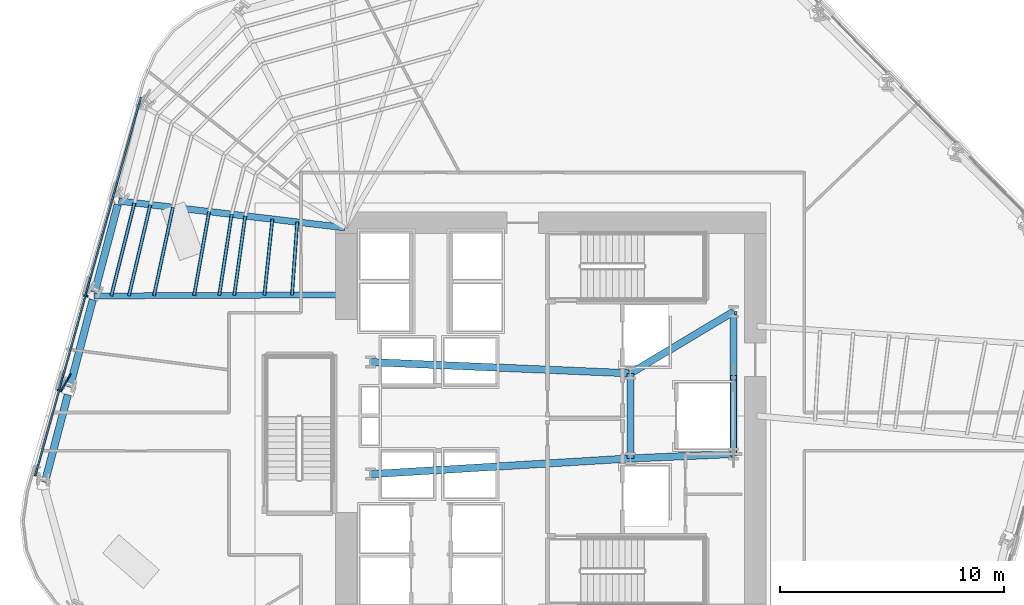
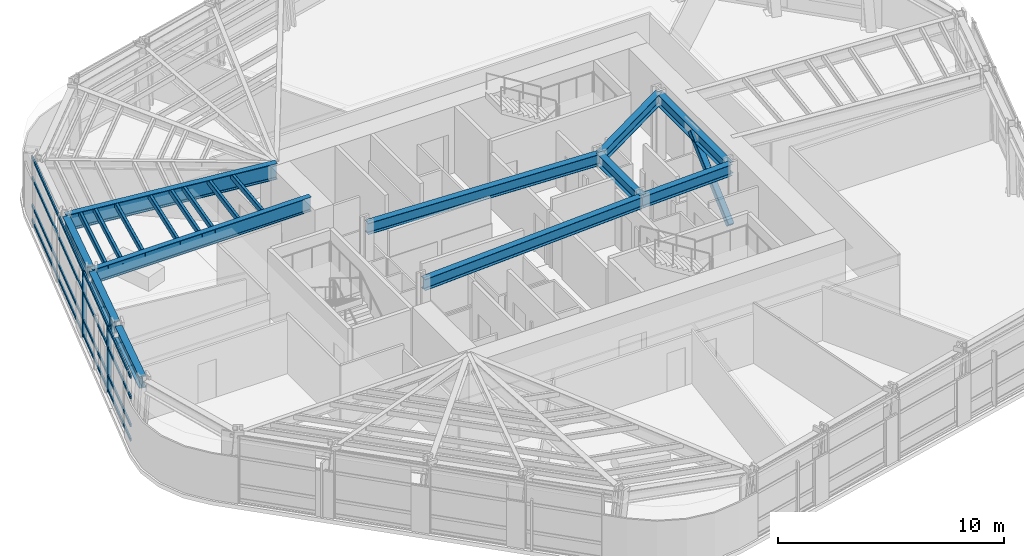
# One storey, part 4 of 17: 16 members, 11 beams, 1 element without a shape of its own.
"""IFC4 building model written with IfcOpenShell, lengths in metres."""

from ifc_helpers import new_model, si_unit, direction, frame, origin, origin_2d, place, context, subcontext, project, spatial, rectangle, hollow_rectangle, i_section, extrude, material, layer, layer_set, material_profile, profile_set, type_object, element, aggregate, save


model = new_model("IFC4")

# Units and contexts
model_context = context("Model", 3, precision=1e-05, world=origin(), true_north=direction((0.0, 1.0)))
body_context = subcontext(model_context, "Body", "Model", "MODEL_VIEW")
ifc_project = project(units=[si_unit("LENGTHUNIT", "METRE"), si_unit("AREAUNIT", "SQUARE_METRE"), si_unit("VOLUMEUNIT", "CUBIC_METRE"), si_unit("PLANEANGLEUNIT", "RADIAN"), si_unit("MASSUNIT", "GRAM", prefix="KILO")], contexts=[model_context])

# Site, building, storey
site_placement = place(None, origin())
site = spatial("IfcSite", under=ifc_project, at=site_placement, CompositionType="ELEMENT")
building_placement = place(site_placement, origin())
building = spatial("IfcBuilding", under=site, at=building_placement, Name="Valkerne Bourse Tower", CompositionType="ELEMENT")
storey_placement = place(building_placement, frame((0.0, 0.0, 85.800048828125)))
storey = spatial("IfcBuildingStorey", under=building, at=storey_placement, Name="L21", CompositionType="ELEMENT", Elevation=85.800048828125)

# Beams
ifc_material_1 = material(Name="Steel ASTM A992", Category="steel")
ifc_material_profile_1 = material_profile(ifc_material_1, i_section(OverallWidth=0.3251953125, OverallDepth=0.612060546875, WebThickness=0.0126953125, FlangeThickness=0.01904296875, FilletRadius=0.020263671875, at=origin_2d()), Name="W24X104")
ifc_profile_set_1 = profile_set([ifc_material_profile_1], Name="Steel ASTM A992")
beam_type_1 = type_object("IfcBeamType", Name="BM-W24X104", PredefinedType="BEAM", material=ifc_profile_set_1)
beam_1_placement = place(storey_placement, frame((50.35009765625, 25.10009765625, 3.27392578125), z_axis=(0.0, 1.0, 0.0), x_axis=(-1.0, 0.0, 0.0)))
element("IfcBeam", 1, at=beam_1_placement, inside=storey, type_object=beam_type_1, Name="L21 Core Frame Girder CG-CE", PredefinedType="BEAM", context=body_context, shape_type="SweptSolid", body=[
    extrude(i_section(OverallWidth=0.3251953125, OverallDepth=0.612060546875, WebThickness=0.0126953125, FlangeThickness=0.01904296875, FilletRadius=0.020263671875, at=origin_2d()), origin(), (0.0, 0.0, 1.0), 3.7998046875),
])
beam_2_placement = place(storey_placement, frame((50.35009765625, 25.10009765625, 3.27392578125), z_axis=(0.999056558506, 0.043428019819, 0.0), x_axis=(-0.043428019819, 0.999056558506, 0.0)))
element("IfcBeam", 2, at=beam_2_placement, inside=storey, type_object=beam_type_1, Name="L21 Core Frame Girder CG-SE", PredefinedType="BEAM", context=body_context, shape_type="SweptSolid", body=[
    extrude(i_section(OverallWidth=0.3251953125, OverallDepth=0.612060546875, WebThickness=0.0126953125, FlangeThickness=0.01904296875, FilletRadius=0.020263671875, at=origin_2d()), origin(), (0.0, 0.0, 1.0), 4.604248046875),
])
beam_3_placement = place(storey_placement, frame((50.35009765625, 28.89990234375, 3.27392578125), z_axis=(0.858307823492, 0.513135148019, 0.0), x_axis=(-0.513135148019, 0.858307823492, 0.0)))
element("IfcBeam", 3, at=beam_3_placement, inside=storey, type_object=beam_type_1, Name="L21 Core Frame Girder CG-NE", PredefinedType="BEAM", context=body_context, shape_type="SweptSolid", body=[
    extrude(i_section(OverallWidth=0.3251953125, OverallDepth=0.612060546875, WebThickness=0.0126953125, FlangeThickness=0.01904296875, FilletRadius=0.020263671875, at=origin_2d()), origin(), (0.0, 0.0, 1.0), 5.359130859375),
])
beam_4_placement = place(storey_placement, frame((54.949951171875, 25.300048828125, 3.27392578125), z_axis=(0.0, 1.0, 0.0), x_axis=(-1.0, 0.0, 0.0)))
element("IfcBeam", 4, at=beam_4_placement, inside=storey, type_object=beam_type_1, Name="L21 Core Frame Girder CG-EE", PredefinedType="BEAM", context=body_context, shape_type="SweptSolid", body=[
    extrude(i_section(OverallWidth=0.3251953125, OverallDepth=0.612060546875, WebThickness=0.0126953125, FlangeThickness=0.01904296875, FilletRadius=0.020263671875, at=origin_2d()), origin(), (0.0, 0.0, 1.0), 6.349853515625),
])
beam_5_placement = place(storey_placement, frame((38.75, 24.39990234375, 3.27392578125), z_axis=(0.998183228389, 0.060251494276, 0.0), x_axis=(-0.060251494276, 0.998183228389, 0.0)))
element("IfcBeam", 5, at=beam_5_placement, inside=storey, type_object=beam_type_1, Name="L21 Core Frame Girder CG-SW", PredefinedType="BEAM", context=body_context, shape_type="SweptSolid", body=[
    extrude(i_section(OverallWidth=0.3251953125, OverallDepth=0.612060546875, WebThickness=0.0126953125, FlangeThickness=0.01904296875, FilletRadius=0.020263671875, at=origin_2d()), origin(), (0.0, 0.0, 1.0), 11.62109375),
])
beam_6_placement = place(storey_placement, frame((38.75, 29.39990234375, 3.27392578125), z_axis=(0.999072354402, -0.043063101019, 0.0), x_axis=(0.043063101019, 0.999072354402, 0.0)))
element("IfcBeam", 6, at=beam_6_placement, inside=storey, type_object=beam_type_1, Name="L21 Core Frame Girder CG-NW", PredefinedType="BEAM", context=body_context, shape_type="SweptSolid", body=[
    extrude(i_section(OverallWidth=0.3251953125, OverallDepth=0.612060546875, WebThickness=0.0126953125, FlangeThickness=0.01904296875, FilletRadius=0.020263671875, at=origin_2d()), origin(), (0.0, 0.0, 1.0), 11.61083984375),
])
ifc_material_profile_2 = material_profile(ifc_material_1, i_section(OverallWidth=0.330078125, OverallDepth=0.647705078125, WebThickness=0.0205078125, FlangeThickness=0.037109375, FilletRadius=0.020263671875, at=origin_2d()), Name="W24X192")
ifc_profile_set_2 = profile_set([ifc_material_profile_2], Name="Steel ASTM A992")
beam_type_2 = type_object("IfcBeamType", Name="BM-W24X192", PredefinedType="SPANDREL", material=ifc_profile_set_2)
beam_7_placement = place(storey_placement, frame((27.4716796875, 36.42626953125, 3.256103515625), z_axis=(-0.253800676893, -0.967256541156, 0.0), x_axis=(0.967256541156, -0.253800676893, 0.0)))
element("IfcBeam", 7, at=beam_7_placement, inside=storey, type_object=beam_type_2, Name="L21 Hexagonal Spandrel Ring Beam 11", PredefinedType="SPANDREL", context=body_context, shape_type="SweptSolid", body=[
    extrude(i_section(OverallWidth=0.330078125, OverallDepth=0.647705078125, WebThickness=0.0205078125, FlangeThickness=0.037109375, FilletRadius=0.020263671875, at=origin_2d()), origin(), (0.0, 0.0, 1.0), 4.04296875),
])
beam_8_placement = place(storey_placement, frame((26.359375, 32.186767578125, 3.256103515625), z_axis=(-0.253729359319, -0.967275251529, 0.0), x_axis=(0.967275251529, -0.253729359319, 0.0)))
element("IfcBeam", 8, at=beam_8_placement, inside=storey, type_object=beam_type_2, Name="L21 Hexagonal Spandrel Ring Beam 12", PredefinedType="SPANDREL", context=body_context, shape_type="SweptSolid", body=[
    extrude(i_section(OverallWidth=0.330078125, OverallDepth=0.647705078125, WebThickness=0.0205078125, FlangeThickness=0.037109375, FilletRadius=0.020263671875, at=origin_2d()), origin(), (0.0, 0.0, 1.0), 4.043212890625),
])
beam_9_placement = place(storey_placement, frame((25.247314453125, 27.947265625, 3.256103515625), z_axis=(-0.253800676893, -0.967256541156, 0.0), x_axis=(0.967256541156, -0.253800676893, 0.0)))
element("IfcBeam", 9, at=beam_9_placement, inside=storey, type_object=beam_type_2, Name="L21 Hexagonal Spandrel Ring Beam 13", PredefinedType="SPANDREL", context=body_context, shape_type="SweptSolid", body=[
    extrude(i_section(OverallWidth=0.330078125, OverallDepth=0.647705078125, WebThickness=0.0205078125, FlangeThickness=0.037109375, FilletRadius=0.020263671875, at=origin_2d()), origin(), (0.0, 0.0, 1.0), 4.04296875),
])
ifc_material_profile_3 = material_profile(ifc_material_1, i_section(OverallWidth=0.26806640625, OverallDepth=0.76953125, WebThickness=0.015625, FlangeThickness=0.025390625, FilletRadius=0.025390625, at=origin_2d()), Name="W30X132")
ifc_profile_set_3 = profile_set([ifc_material_profile_3], Name="Steel ASTM A992")
beam_type_3 = type_object("IfcBeamType", Name="BM-W30X132", PredefinedType="BEAM", material=ifc_profile_set_3)
beam_10_placement = place(storey_placement, frame((26.402587890625, 32.351318359375, 3.195068359375), z_axis=(0.999990587451, 0.004338779612, 0.0), x_axis=(-0.004338779612, 0.999990587451, 0.0)))
element("IfcBeam", 10, at=beam_10_placement, inside=storey, type_object=beam_type_3, Name="L21 Radial Composite Floor Beam 12", PredefinedType="BEAM", context=body_context, shape_type="SweptSolid", body=[
    extrude(i_section(OverallWidth=0.26806640625, OverallDepth=0.76953125, WebThickness=0.015625, FlangeThickness=0.025390625, FilletRadius=0.025390625, at=origin_2d()), origin(), (0.0, 0.0, 1.0), 11.197509765625),
])
ifc_material_profile_4 = material_profile(ifc_material_1, i_section(OverallWidth=0.2919921875, OverallDepth=0.8583984375, WebThickness=0.01708984375, FlangeThickness=0.031005859375, FilletRadius=0.025390625, at=origin_2d()), Name="W33X169")
ifc_profile_set_4 = profile_set([ifc_material_profile_4], Name="Steel ASTM A992")
beam_type_4 = type_object("IfcBeamType", Name="BM-W33X169", PredefinedType="BEAM", material=ifc_profile_set_4)
beam_11_placement = place(storey_placement, frame((27.514892578125, 36.5908203125, 3.150634765625), z_axis=(0.993099968359, -0.117270852494, 0.0), x_axis=(0.117270852494, 0.993099968359, 0.0)))
element("IfcBeam", 11, at=beam_11_placement, inside=storey, type_object=beam_type_4, Name="L21 Radial Composite Floor Beam 11", PredefinedType="BEAM", context=body_context, shape_type="SweptSolid", body=[
    extrude(i_section(OverallWidth=0.2919921875, OverallDepth=0.8583984375, WebThickness=0.01708984375, FlangeThickness=0.031005859375, FilletRadius=0.025390625, at=origin_2d()), origin(), (0.0, 0.0, 1.0), 10.1552734375),
])

# Curtain wall, members
ifc_material_2 = material(Name="Aluminium AA 6063-T6", Category="aluminium")
ifc_layer = layer(ifc_material_2, 0.22998046875)
ifc_layer_set = layer_set([ifc_layer], Name="Aluminium AA 6063-T6")
curtain_wall_type = type_object("IfcCurtainWallType", Name="CW-02", PredefinedType="NOTDEFINED", material=ifc_layer_set)
curtain_wall_placement = place(storey_placement, origin())
curtain_wall = element("IfcCurtainWall", 12, at=curtain_wall_placement, inside=storey, type_object=curtain_wall_type, Name="L21 Hexagonal Stick Curtain Wall Face 3", PredefinedType="NOTDEFINED")
ifc_material_profile_5 = material_profile(ifc_material_2, rectangle(XDim=0.074951171875, YDim=0.199951171875, at=origin_2d()), Name="CWM-75X200")
ifc_profile_set_5 = profile_set([ifc_material_profile_5], Name="Aluminium AA 6063-T6")
member_type_1 = type_object("IfcMemberType", Name="CW-MUL-220X75", PredefinedType="MULLION", material=ifc_profile_set_5)
member_1_placement = place(storey_placement, frame((26.048583984375, 32.35791015625, 0.0), z_axis=(0.0, 0.0, 1.0), x_axis=(-0.268927444827, -0.963160438047, 0.0)))
member_1 = element("IfcMember", 13, at=member_1_placement, type_object=member_type_1, Name="CW-L21-F3 Jamb Mullion 02A", PredefinedType="MULLION", context=body_context, shape_type="SweptSolid", body=[
    extrude(rectangle(XDim=0.074951171875, YDim=0.199951171875, at=origin_2d()), origin(), (0.0, 0.0, 1.0), 3.579833984375),
])
member_2_placement = place(storey_placement, frame((24.8701171875, 28.13623046875, 0.0), z_axis=(0.0, 0.0, 1.0), x_axis=(-0.268921535255, -0.96316208806, 0.0)))
member_2 = element("IfcMember", 14, at=member_2_placement, type_object=member_type_1, Name="CW-L21-F3 Jamb Mullion 03A", PredefinedType="MULLION", context=body_context, shape_type="SweptSolid", body=[
    extrude(rectangle(XDim=0.074951171875, YDim=0.199951171875, at=origin_2d()), origin(), (0.0, 0.0, 1.0), 3.579833984375),
])
ifc_material_profile_6 = material_profile(ifc_material_2, rectangle(XDim=0.074951171875, YDim=0.14990234375, at=origin_2d()), Name="CWT-75X150")
ifc_profile_set_6 = profile_set([ifc_material_profile_6], Name="Aluminium AA 6063-T6")
member_type_2 = type_object("IfcMemberType", Name="CW-TRN-180X65", PredefinedType="USERDEFINED", material=ifc_profile_set_6)
member_3_placement = place(storey_placement, frame((28.499755859375, 41.210693359375, 0.119873046875), z_axis=(-0.268929961795, -0.963159735272, 0.0), x_axis=(0.963159735272, -0.268929961795, 0.0)))
member_3 = element("IfcMember", 15, at=member_3_placement, type_object=member_type_2, Name="CW-L21-F3 Continuous Face Transom 1", ObjectType="TRANSOM", PredefinedType="USERDEFINED", context=body_context, shape_type="SweptSolid", body=[
    extrude(rectangle(XDim=0.074951171875, YDim=0.14990234375, at=origin_2d()), origin(), (0.0, 0.0, 1.0), 17.531982421875),
])
member_4_placement = place(storey_placement, frame((28.499755859375, 41.210693359375, 0.89990234375), z_axis=(-0.268929961795, -0.963159735272, 0.0), x_axis=(0.963159735272, -0.268929961795, 0.0)))
member_4 = element("IfcMember", 16, at=member_4_placement, type_object=member_type_2, Name="CW-L21-F3 Continuous Face Transom 2", ObjectType="TRANSOM", PredefinedType="USERDEFINED", context=body_context, shape_type="SweptSolid", body=[
    extrude(rectangle(XDim=0.074951171875, YDim=0.14990234375, at=origin_2d()), origin(), (0.0, 0.0, 1.0), 17.531982421875),
])
member_5_placement = place(storey_placement, frame((28.499755859375, 41.210693359375, 2.39990234375), z_axis=(-0.268929961795, -0.963159735272, 0.0), x_axis=(0.963159735272, -0.268929961795, 0.0)))
member_5 = element("IfcMember", 17, at=member_5_placement, type_object=member_type_2, Name="CW-L21-F3 Continuous Face Transom 3", ObjectType="TRANSOM", PredefinedType="USERDEFINED", context=body_context, shape_type="SweptSolid", body=[
    extrude(rectangle(XDim=0.074951171875, YDim=0.14990234375, at=origin_2d()), origin(), (0.0, 0.0, 1.0), 17.531982421875),
])
member_6_placement = place(storey_placement, frame((28.499755859375, 41.210693359375, 3.5), z_axis=(-0.268929961795, -0.963159735272, 0.0), x_axis=(0.963159735272, -0.268929961795, 0.0)))
member_6 = element("IfcMember", 18, at=member_6_placement, type_object=member_type_2, Name="CW-L21-F3 Continuous Face Transom 4", ObjectType="TRANSOM", PredefinedType="USERDEFINED", context=body_context, shape_type="SweptSolid", body=[
    extrude(rectangle(XDim=0.074951171875, YDim=0.14990234375, at=origin_2d()), origin(), (0.0, 0.0, 1.0), 17.531982421875),
])
aggregate(curtain_wall, [member_3, member_4, member_5, member_6, member_1, member_2])

# Members
ifc_material_3 = material(Name="Bronze Anodised Aluminium AA 6063-T6", Category="aluminium")
ifc_material_profile_7 = material_profile(ifc_material_3, rectangle(XDim=0.070068359375, YDim=0.89990234375, at=origin_2d()), Name="FIN-70X900")
ifc_profile_set_7 = profile_set([ifc_material_profile_7], Name="Bronze Anodised Aluminium AA 6063-T6")
member_type_3 = type_object("IfcMemberType", Name="FIN-SOLAR-900", PredefinedType="USERDEFINED", material=ifc_profile_set_7)
member_7_placement = place(storey_placement, frame((25.15625, 28.492431640625, 0.00390625), z_axis=(0.0, 0.0, 1.0), x_axis=(-0.87407349362, 0.485793709049, 0.0)))
element("IfcMember", 19, at=member_7_placement, inside=storey, type_object=member_type_3, Name="L21 Bronze Anodised Solar Fin F3-03", ObjectType="SOLAR_FIN", PredefinedType="USERDEFINED", context=body_context, shape_type="SweptSolid", body=[
    extrude(rectangle(XDim=0.070068359375, YDim=0.89990234375, at=origin_2d()), origin(), (0.0, 0.0, 1.0), 3.572021484375),
])
ifc_material_4 = material(Name="Steel ASTM A500 Grade C", Category="steel")
ifc_material_profile_8 = material_profile(ifc_material_4, hollow_rectangle(XDim=0.14990234375, YDim=0.300048828125, WallThickness=0.012451171875, OuterFilletRadius=0.02490234375, at=origin_2d()), Name="HSS300X150X12.5")
ifc_profile_set_8 = profile_set([ifc_material_profile_8], Name="Steel ASTM A500 Grade C")
member_type_4 = type_object("IfcMemberType", Name="MBR-HSS300X150X12.5", PredefinedType="PURLIN", material=ifc_profile_set_8)
member_8_placement = place(storey_placement, frame((34.372802734375, 35.781005859375, 3.419921875), z_axis=(-0.10423077033, -0.994553139111, 0.0), x_axis=(0.994553139111, -0.10423077033, 0.0)))
element("IfcMember", 20, at=member_8_placement, inside=storey, type_object=member_type_4, Name="L21 Secondary Composite Floor Purlin I-11", PredefinedType="PURLIN", context=body_context, shape_type="SweptSolid", body=[
    extrude(hollow_rectangle(XDim=0.14990234375, YDim=0.300048828125, WallThickness=0.012451171875, OuterFilletRadius=0.02490234375, at=origin_2d()), origin(), (0.0, 0.0, 1.0), 3.4150390625),
])
member_9_placement = place(storey_placement, frame((33.16259765625, 35.923828125, 3.419921875), z_axis=(-0.136768968462, -0.990602972571, 0.0), x_axis=(0.990602972571, -0.136768968462, 0.0)))
element("IfcMember", 21, at=member_9_placement, inside=storey, type_object=member_type_4, Name="L21 Secondary Composite Floor Purlin K-11", PredefinedType="PURLIN", context=body_context, shape_type="SweptSolid", body=[
    extrude(hollow_rectangle(XDim=0.14990234375, YDim=0.300048828125, WallThickness=0.012451171875, OuterFilletRadius=0.02490234375, at=origin_2d()), origin(), (0.0, 0.0, 1.0), 3.5791015625),
])
member_10_placement = place(storey_placement, frame((32.557373046875, 35.995361328125, 3.419921875), z_axis=(-0.15185680878, -0.988402503855, 0.0), x_axis=(0.988402503855, -0.15185680878, 0.0)))
element("IfcMember", 22, at=member_10_placement, inside=storey, type_object=member_type_4, Name="L21 Secondary Composite Floor Purlin M-11", PredefinedType="PURLIN", context=body_context, shape_type="SweptSolid", body=[
    extrude(hollow_rectangle(XDim=0.14990234375, YDim=0.300048828125, WallThickness=0.012451171875, OuterFilletRadius=0.02490234375, at=origin_2d()), origin(), (0.0, 0.0, 1.0), 3.662353515625),
])
member_11_placement = place(storey_placement, frame((29.935302734375, 36.304931640625, 3.419921875), z_axis=(-0.20969863689, -0.977766066954, 0.0), x_axis=(0.977766066954, -0.20969863689, 0.0)))
element("IfcMember", 23, at=member_11_placement, inside=storey, type_object=member_type_4, Name="L21 Secondary Composite Floor Purlin O-11", PredefinedType="PURLIN", context=body_context, shape_type="SweptSolid", body=[
    extrude(hollow_rectangle(XDim=0.14990234375, YDim=0.300048828125, WallThickness=0.012451171875, OuterFilletRadius=0.02490234375, at=origin_2d()), origin(), (0.0, 0.0, 1.0), 4.03173828125),
])
member_12_placement = place(storey_placement, frame((31.548828125, 36.114501953125, 3.419921875), z_axis=(-0.175455112569, -0.984487431851, 0.0), x_axis=(0.984487431851, -0.175455112569, 0.0)))
element("IfcMember", 24, at=member_12_placement, inside=storey, type_object=member_type_4, Name="L21 Secondary Composite Floor Purlin Z-11", PredefinedType="PURLIN", context=body_context, shape_type="SweptSolid", body=[
    extrude(hollow_rectangle(XDim=0.14990234375, YDim=0.300048828125, WallThickness=0.012451171875, OuterFilletRadius=0.02490234375, at=origin_2d()), origin(), (0.0, 0.0, 1.0), 3.802978515625),
])
member_13_placement = place(storey_placement, frame((35.482177734375, 35.64990234375, 3.419921875), z_axis=(-0.071485929685, -0.997441608244, 0.0), x_axis=(0.997441608244, -0.071485929685, 0.0)))
element("IfcMember", 25, at=member_13_placement, inside=storey, type_object=member_type_4, Name="L21 Secondary Composite Floor Purlin S-11", PredefinedType="PURLIN", context=body_context, shape_type="SweptSolid", body=[
    extrude(hollow_rectangle(XDim=0.14990234375, YDim=0.300048828125, WallThickness=0.012451171875, OuterFilletRadius=0.02490234375, at=origin_2d()), origin(), (0.0, 0.0, 1.0), 3.268310546875),
])
member_14_placement = place(storey_placement, frame((28.9267578125, 36.424072265625, 3.419921875), z_axis=(-0.228993725974, -0.973427898442, 0.0), x_axis=(0.973427898442, -0.228993725974, 0.0)))
element("IfcMember", 26, at=member_14_placement, inside=storey, type_object=member_type_4, Name="L21 Secondary Composite Floor Purlin T-11", PredefinedType="PURLIN", context=body_context, shape_type="SweptSolid", body=[
    extrude(hollow_rectangle(XDim=0.14990234375, YDim=0.300048828125, WallThickness=0.012451171875, OuterFilletRadius=0.02490234375, at=origin_2d()), origin(), (0.0, 0.0, 1.0), 4.17724609375),
])
member_15_placement = place(storey_placement, frame((28.220703125, 36.50732421875, 3.419921875), z_axis=(-0.241703337277, -0.970350192842, 0.0), x_axis=(0.970350192842, -0.241703337277, 0.0)))
element("IfcMember", 27, at=member_15_placement, inside=storey, type_object=member_type_4, Name="L21 Secondary Composite Floor Purlin U-11", PredefinedType="PURLIN", context=body_context, shape_type="SweptSolid", body=[
    extrude(hollow_rectangle(XDim=0.14990234375, YDim=0.300048828125, WallThickness=0.012451171875, OuterFilletRadius=0.02490234375, at=origin_2d()), origin(), (0.0, 0.0, 1.0), 4.27978515625),
])
ifc_material_profile_9 = material_profile(ifc_material_4, hollow_rectangle(XDim=0.300048828125, YDim=0.300048828125, WallThickness=0.012451171875, OuterFilletRadius=0.02490234375, at=origin_2d()), Name="HSS300X300X12.5")
ifc_profile_set_9 = profile_set([ifc_material_profile_9], Name="Steel ASTM A500 Grade C")
member_type_5 = type_object("IfcMemberType", Name="MBR-HSS300X300X12.5", PredefinedType="STRUT", material=ifc_profile_set_9)
member_16_placement = place(storey_placement, frame((54.949951171875, 25.300048828125, 0.219970703125), z_axis=(0.0, 0.743941933778, 0.668244266094), x_axis=(-1.0, 0.0, 0.0)))
element("IfcMember", 28, at=member_16_placement, inside=storey, type_object=member_type_5, Name="L21 Core Service Pier Lateral Brace", PredefinedType="STRUT", context=body_context, shape_type="SweptSolid", body=[
    extrude(hollow_rectangle(XDim=0.300048828125, YDim=0.300048828125, WallThickness=0.012451171875, OuterFilletRadius=0.02490234375, at=origin_2d()), origin(), (0.0, 0.0, 1.0), 4.570068359375),
])

save(model, "model.ifc")
